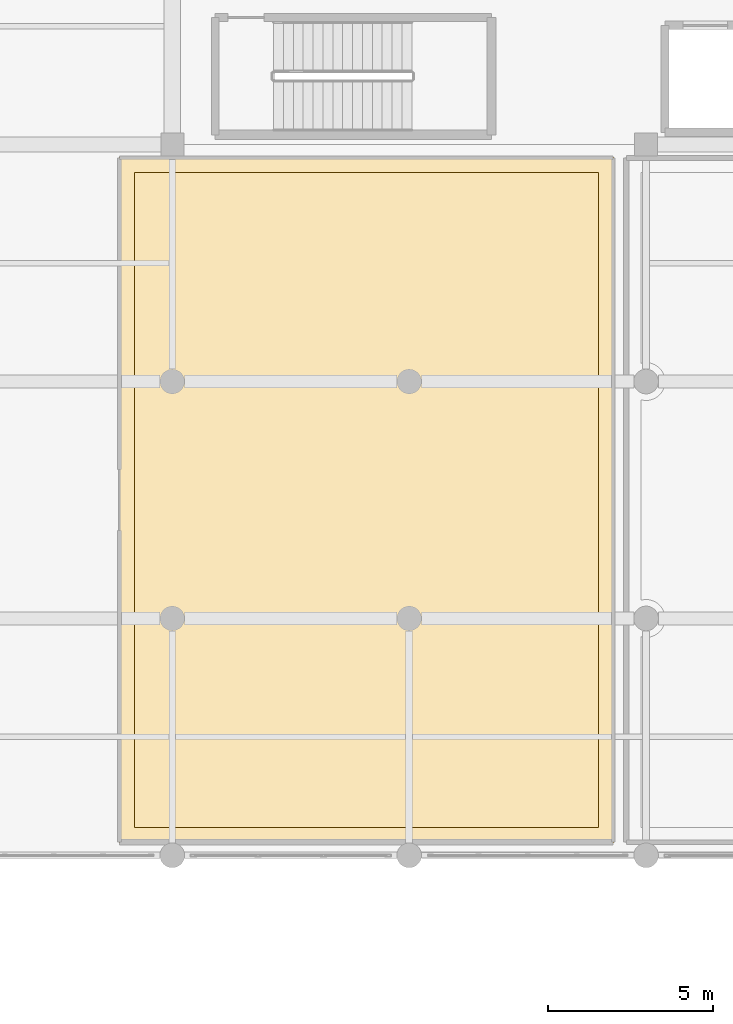
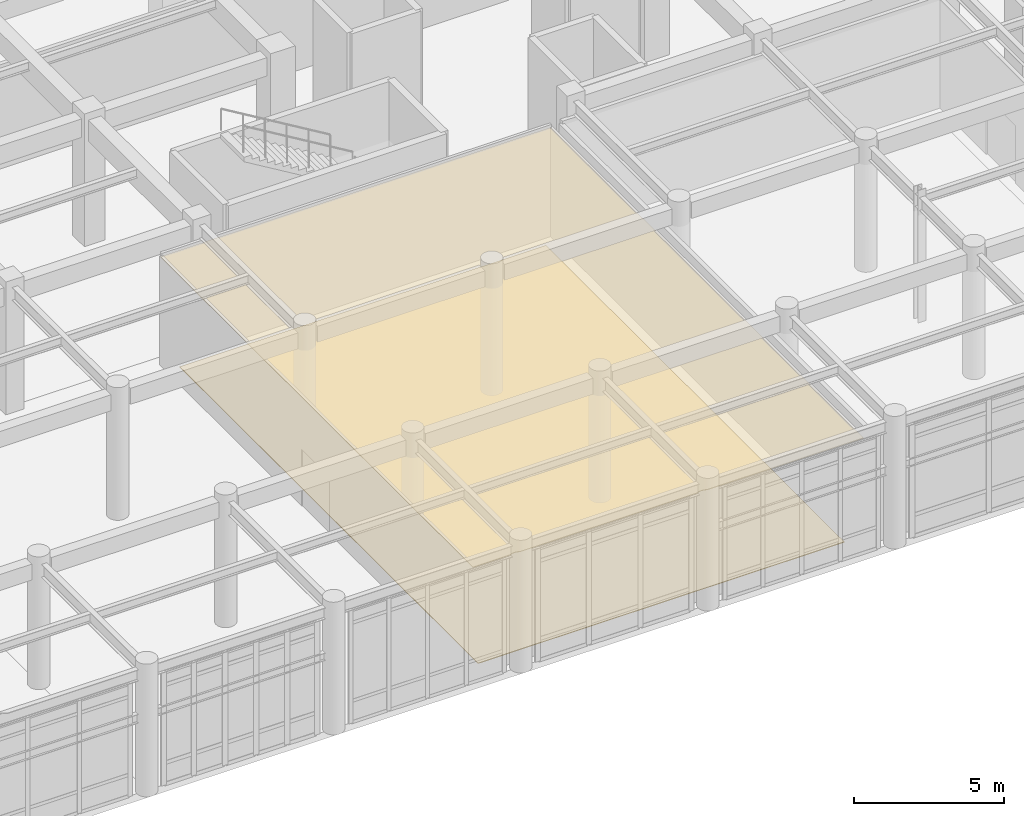
# One storey, part 95 of 102: 2 coverings.
"""IFC4 building model written with IfcOpenShell, lengths in metres."""

from ifc_helpers import new_model, si_unit, direction, frame, origin, place, context, subcontext, project, spatial, polyline, outline, extrude, material, layer, layer_set, type_object, element, save


model = new_model("IFC4")

# Units and contexts
model_context = context("Model", 3, precision=1e-05, world=origin(), true_north=direction((0.0, 1.0)))
body_context = subcontext(model_context, "Body", "Model", "MODEL_VIEW")
ifc_project = project(units=[si_unit("LENGTHUNIT", "METRE"), si_unit("AREAUNIT", "SQUARE_METRE"), si_unit("VOLUMEUNIT", "CUBIC_METRE"), si_unit("PLANEANGLEUNIT", "RADIAN"), si_unit("MASSUNIT", "GRAM", prefix="KILO")], contexts=[model_context])

# Site, building, storey
site_placement = place(None, origin())
site = spatial("IfcSite", under=ifc_project, at=site_placement, CompositionType="ELEMENT")
building_placement = place(site_placement, origin())
building = spatial("IfcBuilding", under=site, at=building_placement, Name="Carrowvane Square Congress Hotel", CompositionType="ELEMENT")
storey_placement = place(building_placement, origin())
storey = spatial("IfcBuildingStorey", under=building, at=storey_placement, Name="L00", CompositionType="ELEMENT", Elevation=0.0)

# Coverings
ifc_material_1 = material(Name="European oak timber", Category="wood")
ifc_layer_1 = layer(ifc_material_1, 0.02490234375)
ifc_layer_set_1 = layer_set([ifc_layer_1], Name="European oak timber")
covering_type_1 = type_object("IfcCoveringType", Name="COV-CLG-WD25", PredefinedType="CEILING", material=ifc_layer_set_1)
covering_1_placement = place(storey_placement, frame((0.0, 0.0, 4.360107421875)))
element("IfcCovering", 1, at=covering_1_placement, inside=storey, type_object=covering_type_1, Name="L00 Congress Bookshop and Design Retail acoustic ceiling", PredefinedType="CEILING", context=body_context, shape_type="SweptSolid", body=[
    extrude(outline(polyline([(111.419189453125, 91.40576171875), (111.419677734375, 91.40380859375), (111.419921875, 91.402099609375), (111.419921875, 91.39990234375), (111.419921875, 70.60009765625), (111.419921875, 70.597900390625), (111.419677734375, 70.59619140625), (111.419189453125, 70.59423828125), (111.41845703125, 70.59228515625), (111.41748046875, 70.590576171875), (111.41650390625, 70.5888671875), (111.41552734375, 70.58740234375), (111.4140625, 70.5859375), (111.41259765625, 70.58447265625), (111.4111328125, 70.58349609375), (111.409423828125, 70.58251953125), (111.40771484375, 70.58154296875), (111.40576171875, 70.580810546875), (111.40380859375, 70.580322265625), (111.402099609375, 70.580078125), (111.39990234375, 70.580078125), (105.389404296875, 70.580078125), (105.362548828125, 70.592529296875), (105.323486328125, 70.606689453125), (105.282958984375, 70.61669921875), (105.24169921875, 70.623046875), (105.199951171875, 70.625), (105.158203125, 70.623046875), (105.1171875, 70.61669921875), (105.07666015625, 70.606689453125), (105.037353515625, 70.592529296875), (105.010498046875, 70.580078125), (98.189453125, 70.580078125), (98.16259765625, 70.592529296875), (98.123291015625, 70.606689453125), (98.0830078125, 70.61669921875), (98.041748046875, 70.623046875), (98.0, 70.625), (97.958251953125, 70.623046875), (97.9169921875, 70.61669921875), (97.876708984375, 70.606689453125), (97.83740234375, 70.592529296875), (97.810546875, 70.580078125), (96.39990234375, 70.580078125), (96.39794921875, 70.580078125), (96.39599609375, 70.580322265625), (96.394287109375, 70.580810546875), (96.392333984375, 70.58154296875), (96.390625, 70.58251953125), (96.388916015625, 70.58349609375), (96.38720703125, 70.58447265625), (96.385986328125, 70.5859375), (96.384521484375, 70.58740234375), (96.38330078125, 70.5888671875), (96.38232421875, 70.590576171875), (96.381591796875, 70.59228515625), (96.380859375, 70.59423828125), (96.38037109375, 70.59619140625), (96.380126953125, 70.597900390625), (96.3798828125, 70.60009765625), (96.3798828125, 91.39990234375), (96.380126953125, 91.402099609375), (96.38037109375, 91.40380859375), (96.380859375, 91.40576171875), (96.381591796875, 91.40771484375), (96.38232421875, 91.409423828125), (96.38330078125, 91.4111328125), (96.384521484375, 91.41259765625), (96.385986328125, 91.4140625), (96.38720703125, 91.41552734375), (96.388916015625, 91.41650390625), (96.390625, 91.41748046875), (96.392333984375, 91.41845703125), (96.394287109375, 91.419189453125), (96.39599609375, 91.419677734375), (96.39794921875, 91.419921875), (96.39990234375, 91.419921875), (97.876220703125, 91.419921875), (97.8837890625, 91.417236328125), (97.922119140625, 91.40771484375), (97.960693359375, 91.40185546875), (98.0, 91.39990234375), (98.039306640625, 91.40185546875), (98.077880859375, 91.40771484375), (98.1162109375, 91.417236328125), (98.123779296875, 91.419921875), (111.39990234375, 91.419921875), (111.402099609375, 91.419921875), (111.40380859375, 91.419677734375), (111.40576171875, 91.419189453125), (111.40771484375, 91.41845703125), (111.409423828125, 91.41748046875), (111.4111328125, 91.41650390625), (111.41259765625, 91.41552734375), (111.4140625, 91.4140625), (111.41552734375, 91.41259765625), (111.41650390625, 91.4111328125), (111.41748046875, 91.409423828125), (111.41845703125, 91.40771484375), (111.419189453125, 91.40576171875)])), origin(), (0.0, 0.0, 1.0), 0.02490234375),
])
ifc_material_2 = material(Name="Portland limestone cladding", Category="masonry")
ifc_layer_2 = layer(ifc_material_2, 0.02587890625)
ifc_layer_set_2 = layer_set([ifc_layer_2], Name="Portland limestone cladding")
covering_type_2 = type_object("IfcCoveringType", Name="COV-FLR-STN26", PredefinedType="FLOORING", material=ifc_layer_set_2)
covering_2_placement = place(storey_placement, origin())
element("IfcCovering", 2, at=covering_2_placement, inside=storey, type_object=covering_type_2, Name="L00 Congress Bookshop and Design Retail floor finish", PredefinedType="FLOORING", context=body_context, shape_type="SweptSolid", body=[
    extrude(outline(polyline([(110.949951171875, 90.949951171875), (110.949951171875, 71.050048828125), (96.85009765625, 71.050048828125), (96.85009765625, 90.949951171875), (110.949951171875, 90.949951171875)])), origin(), (0.0, 0.0, 1.0), 0.02587890625),
])

save(model, "model.ifc")
